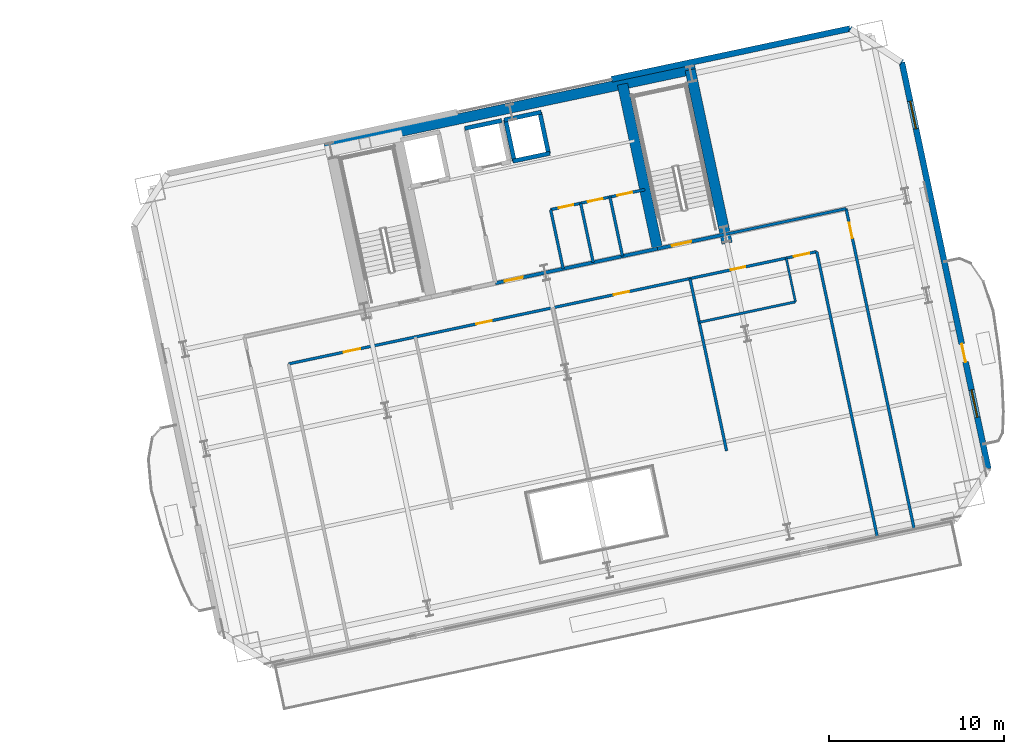
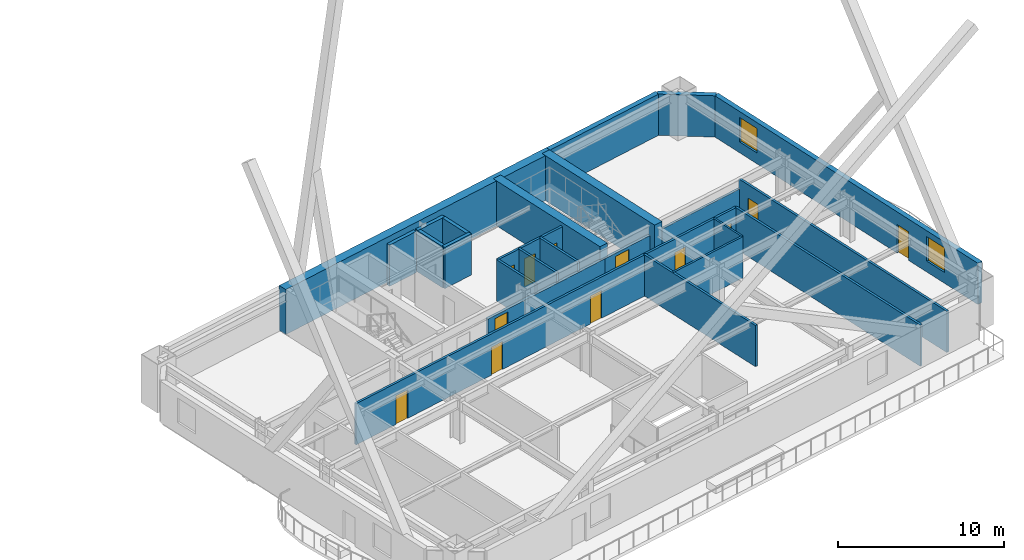
# One storey, part 14 of 22: 24 walls, 12 doors, 2 windows, 14 openings.
"""IFC4 building model written with IfcOpenShell, lengths in metres."""

from ifc_helpers import new_model, si_unit, direction, frame, frame_2d, origin, place, context, subcontext, project, spatial, rectangle, extrude, material, layer, layer_set, type_object, element, fill, save


model = new_model("IFC4")

# Units and contexts
model_context = context("Model", 3, precision=1e-05, world=origin(), true_north=direction((0.0, 1.0)))
body_context = subcontext(model_context, "Body", "Model", "MODEL_VIEW")
ifc_project = project(units=[si_unit("LENGTHUNIT", "METRE"), si_unit("AREAUNIT", "SQUARE_METRE"), si_unit("VOLUMEUNIT", "CUBIC_METRE"), si_unit("PLANEANGLEUNIT", "RADIAN"), si_unit("MASSUNIT", "GRAM", prefix="KILO")], contexts=[model_context])

# Site, building, storey
site_placement = place(None, origin())
site = spatial("IfcSite", under=ifc_project, at=site_placement, CompositionType="ELEMENT")
building_placement = place(site_placement, origin())
building = spatial("IfcBuilding", under=site, at=building_placement, Name="Haevon Station Towers", CompositionType="ELEMENT")
storey_placement = place(building_placement, frame((0.0, 0.0, 70.199951171875)))
storey = spatial("IfcBuildingStorey", under=building, at=storey_placement, Name="L18", CompositionType="ELEMENT", Elevation=70.199951171875)

# Wall, opening, door
ifc_material_1 = material(Name="Gypsum board on steel stud", Category="steel")
ifc_layer_1 = layer(ifc_material_1, 0.199951171875)
ifc_layer_set_1 = layer_set([ifc_layer_1], Name="Gypsum board on steel stud")
wall_type_1 = type_object("IfcWallType", Name="WL-COR200", PredefinedType="PARTITIONING", material=ifc_layer_set_1)
wall_1_placement = place(storey_placement, frame((115.4296875, 40.9873046875, 0.0), z_axis=(0.0, 0.0, 1.0), x_axis=(0.978146596989, 0.207916413008, 0.0)))
wall_1 = element("IfcWall", 1, at=wall_1_placement, inside=storey, type_object=wall_type_1, Name="WL-ST-ST4-L18", PredefinedType="PARTITIONING", context=body_context, shape_type="SweptSolid", body=[
    extrude(rectangle(XDim=3.9501953125, YDim=0.199951171875, at=frame_2d((1.97509765625, 0.0))), origin(), (0.0, 0.0, 1.0), 2.330078125),
])
opening_1_placement = place(wall_1_placement, frame((0.85009765625, 0.0, 0.0)))
opening_1 = element("IfcOpeningElement", 2, at=opening_1_placement, cuts=wall_1, Name="Opening DR-ST-ST4-L18", PredefinedType="OPENING", context=body_context, shape_type="SweptSolid", body=[
    extrude(rectangle(XDim=1.1201171875, YDim=2.10009765625, at=frame_2d((0.56005859375, 1.050048828125))), frame((0.0, 0.10986328125, 0.0), z_axis=(0.0, -1.0, 0.0), x_axis=(1.0, 0.0, 0.0)), (0.0, 0.0, 1.0), 0.219970703125),
])
ifc_material_2 = material(Name="Engineered oak timber", Category="wood")
door_type_1 = type_object("IfcDoorType", Name="DR-ST-1120", OperationType="NOTDEFINED", PredefinedType="DOOR", material=ifc_material_2)
door_1_placement = place(opening_1_placement, origin())
door_1 = element("IfcDoor", 3, at=door_1_placement, inside=storey, type_object=door_type_1, Name="L18 Escape Stair ST4 Fire Door", OperationType="SINGLE_SWING_LEFT", OverallHeight=2.10009765625, OverallWidth=1.1201171875, PredefinedType="DOOR", context=body_context, shape_type="SweptSolid", body=[
    extrude(rectangle(XDim=1.1201171875, YDim=2.10009765625, at=frame_2d((0.56005859375, 1.050048828125))), frame((0.0, 0.02490234375, 0.0), z_axis=(0.0, -1.0, 0.0), x_axis=(1.0, 0.0, 0.0)), (0.0, 0.0, 1.0), 0.050048828125),
])
fill(opening_1, door_1)

wall_2_placement = place(storey_placement, frame((106.186279296875, 39.0224609375, 0.0), z_axis=(0.0, 0.0, 1.0), x_axis=(0.978145519981, 0.20792147975, 0.0)))
wall_2 = element("IfcWall", 4, at=wall_2_placement, inside=storey, type_object=wall_type_1, Name="WL-T2CLB-L18", PredefinedType="PARTITIONING", context=body_context, shape_type="SweptSolid", body=[
    extrude(rectangle(XDim=9.449951171875, YDim=0.199951171875, at=frame_2d((4.72509765625, 0.0))), origin(), (0.0, 0.0, 1.0), 2.330078125),
])
opening_2_placement = place(wall_2_placement, frame((0.550048828125, 0.0, 0.0)))
opening_2 = element("IfcOpeningElement", 5, at=opening_2_placement, cuts=wall_2, Name="Opening DR-T2CLB-L18-1", PredefinedType="OPENING", context=body_context, shape_type="SweptSolid", body=[
    extrude(rectangle(XDim=1.050048828125, YDim=2.10009765625, at=frame_2d((0.52490234375, 1.050048828125))), frame((0.0, 0.10986328125, 0.0), z_axis=(0.0, -1.0, 0.0), x_axis=(1.0, 0.0, 0.0)), (0.0, 0.0, 1.0), 0.219970703125),
])
door_type_2 = type_object("IfcDoorType", Name="DR-FD60-1050", OperationType="NOTDEFINED", PredefinedType="DOOR", material=ifc_material_2)
door_2_placement = place(opening_2_placement, origin())
door_2 = element("IfcDoor", 6, at=door_2_placement, inside=storey, type_object=door_type_2, Name="L18 Tower 2 Core Lift Lobby Door 1", OperationType="SINGLE_SWING_RIGHT", OverallHeight=2.10009765625, OverallWidth=1.050048828125, PredefinedType="DOOR", context=body_context, shape_type="SweptSolid", body=[
    extrude(rectangle(XDim=1.050048828125, YDim=2.10009765625, at=frame_2d((0.52490234375, 1.050048828125))), frame((0.0, 0.02490234375, 0.0), z_axis=(0.0, -1.0, 0.0), x_axis=(1.0, 0.0, 0.0)), (0.0, 0.0, 1.0), 0.050048828125),
])
fill(opening_2, door_2)

# Walls
ifc_material_3 = material(Name="Concrete C60/75", Category="concrete")
ifc_layer_2 = layer(ifc_material_3, 0.60009765625)
ifc_layer_set_2 = layer_set([ifc_layer_2], Name="Concrete C60/75")
wall_type_2 = type_object("IfcWallType", Name="WL-CR600", PredefinedType="SHEAR", material=ifc_layer_set_2)
wall_3_placement = place(storey_placement, frame((96.462890625, 46.770263671875, 0.0), z_axis=(0.0, 0.0, 1.0), x_axis=(0.978147272959, 0.207913232873, 0.0)))
element("IfcWall", 7, at=wall_3_placement, inside=storey, type_object=wall_type_2, Name="WL-T2CR-L18-N", PredefinedType="SHEAR", context=body_context, shape_type="SweptSolid", body=[
    extrude(rectangle(XDim=21.60009765625, YDim=0.60009765625, at=frame_2d((10.800048828125, 0.0))), origin(), (0.0, 0.0, 1.0), 3.300048828125),
])
wall_4_placement = place(storey_placement, frame((119.401611328125, 41.2998046875, 0.0), z_axis=(0.0, 0.0, 1.0), x_axis=(-0.207904342798, 0.978149162575, 0.0)))
element("IfcWall", 8, at=wall_4_placement, inside=storey, type_object=wall_type_2, Name="WL-T2CR-L18-E", PredefinedType="SHEAR", context=body_context, shape_type="SweptSolid", body=[
    extrude(rectangle(XDim=10.1201171875, YDim=0.60009765625, at=frame_2d((5.06005859375, 0.0))), origin(), (0.0, 0.0, 1.0), 3.300048828125),
])
wall_5_placement = place(storey_placement, frame((115.4296875, 40.9873046875, 0.0), z_axis=(0.0, 0.0, 1.0), x_axis=(-0.207903162969, 0.978149413345, 0.0)))
element("IfcWall", 9, at=wall_5_placement, inside=storey, type_object=wall_type_2, Name="WL-T2CR-L18-M2", PredefinedType="SHEAR", context=body_context, shape_type="SweptSolid", body=[
    extrude(rectangle(XDim=9.599853515625, YDim=0.60009765625, at=frame_2d((4.7998046875, 0.0))), origin(), (0.0, 0.0, 1.0), 3.300048828125),
])
ifc_material_4 = material(Name="Precast concrete C45/55", Category="concrete")
ifc_layer_3 = layer(ifc_material_4, 0.340087890625)
ifc_layer_set_3 = layer_set([ifc_layer_3], Name="Precast concrete C45/55")
wall_type_3 = type_object("IfcWallType", Name="WL-EXT-PIER340", PredefinedType="SOLIDWALL", material=ifc_layer_set_3)
wall_6_placement = place(storey_placement, frame((112.812744140625, 50.654541015625, 0.0), z_axis=(0.0, 0.0, 1.0), x_axis=(0.978148582734, 0.207907070817, 0.0)))
element("IfcWall", 10, at=wall_6_placement, inside=storey, type_object=wall_type_3, Name="WL-T2-L18-N2", PredefinedType="SOLIDWALL", context=body_context, shape_type="SweptSolid", body=[
    extrude(rectangle(XDim=13.89990234375, YDim=0.340087890625, at=frame_2d((6.949951171875, 0.0))), origin(), (0.0, 0.0, 1.0), 3.030029296875),
])
wall_7_placement = place(storey_placement, frame((126.408935546875, 53.54443359375, 0.0), z_axis=(0.0, 0.0, 1.0), x_axis=(0.838672309694, -0.544636352948, 0.0)))
element("IfcWall", 11, at=wall_7_placement, inside=storey, type_object=wall_type_3, Name="WL-T2-L18-NEC", PredefinedType="SOLIDWALL", context=body_context, shape_type="SweptSolid", body=[
    extrude(rectangle(XDim=3.535400390625, YDim=0.340087890625, at=frame_2d((1.767578125, 0.0))), origin(), (0.0, 0.0, 1.0), 3.030029296875),
])

# Wall, openings, door, windows
wall_8_placement = place(storey_placement, frame((129.3740234375, 51.618896484375, 0.0), z_axis=(0.0, 0.0, 1.0), x_axis=(0.20791074704, -0.978147801339, 0.0)))
wall_8 = element("IfcWall", 12, at=wall_8_placement, inside=storey, type_object=wall_type_3, Name="WL-T2-L18-E", PredefinedType="SOLIDWALL", context=body_context, shape_type="SweptSolid", body=[
    extrude(rectangle(XDim=23.699951171875, YDim=0.340087890625, at=frame_2d((11.85009765625, 0.0))), origin(), (0.0, 0.0, 1.0), 3.030029296875),
])
opening_3_placement = place(wall_8_placement, frame((16.425048828125, 0.0, 0.0)))
opening_3 = element("IfcOpeningElement", 13, at=opening_3_placement, cuts=wall_8, Name="Opening DR-T2-SCAL-L18-E", PredefinedType="OPENING", context=body_context, shape_type="SweptSolid", body=[
    extrude(rectangle(XDim=1.050048828125, YDim=2.10009765625, at=frame_2d((0.52490234375, 1.050048828125))), frame((0.0, 0.179931640625, 0.0), z_axis=(0.0, -1.0, 0.0), x_axis=(1.0, 0.0, 0.0)), (0.0, 0.0, 1.0), 0.360107421875),
])
opening_4_placement = place(wall_8_placement, frame((2.264404296875, 0.0, 0.800048828125)))
opening_4 = element("IfcOpeningElement", 14, at=opening_4_placement, cuts=wall_8, Name="Opening WN-END160", PredefinedType="OPENING", context=body_context, shape_type="SweptSolid", body=[
    extrude(rectangle(XDim=1.60009765625, YDim=1.800048828125, at=frame_2d((0.800048828125, 0.89990234375))), frame((0.0, 0.179931640625, 0.0), z_axis=(0.0, -1.0, 0.0), x_axis=(1.0, 0.0, 0.0)), (0.0, 0.0, 1.0), 0.360107421875),
])
opening_5_placement = place(wall_8_placement, frame((19.103515625, 0.0, 0.800048828125)))
opening_5 = element("IfcOpeningElement", 15, at=opening_5_placement, cuts=wall_8, Name="Opening WN-END160", PredefinedType="OPENING", context=body_context, shape_type="SweptSolid", body=[
    extrude(rectangle(XDim=1.60009765625, YDim=1.800048828125, at=frame_2d((0.800048828125, 0.89990234375))), frame((0.0, 0.179931640625, 0.0), z_axis=(0.0, -1.0, 0.0), x_axis=(1.0, 0.0, 0.0)), (0.0, 0.0, 1.0), 0.360107421875),
])
ifc_material_5 = material(Name="Thermally broken anodised aluminium and laminated safety glass", Category="aluminium")
door_type_3 = type_object("IfcDoorType", Name="DR-BALC-1050", OperationType="NOTDEFINED", PredefinedType="DOOR", material=ifc_material_5)
door_3_placement = place(opening_3_placement, origin())
door_3 = element("IfcDoor", 16, at=door_3_placement, inside=storey, type_object=door_type_3, Name="Tower 2 L18 East Scalloped Balcony Door", OperationType="SINGLE_SWING_LEFT", OverallHeight=2.10009765625, OverallWidth=1.050048828125, PredefinedType="DOOR", context=body_context, shape_type="SweptSolid", body=[
    extrude(rectangle(XDim=1.050048828125, YDim=2.10009765625, at=frame_2d((0.52490234375, 1.050048828125))), frame((0.0, 0.02490234375, 0.0), z_axis=(0.0, -1.0, 0.0), x_axis=(1.0, 0.0, 0.0)), (0.0, 0.0, 1.0), 0.050048828125),
])
fill(opening_3, door_3)
ifc_material_6 = material(Name="Low-E triple glazing in thermally broken aluminium", Category="aluminium")
window_type = type_object("IfcWindowType", Name="WN-END160", PartitioningType="SINGLE_PANEL", PredefinedType="WINDOW", material=ifc_material_6)
window_1_placement = place(opening_4_placement, origin())
window_1 = element("IfcWindow", 17, at=window_1_placement, inside=storey, type_object=window_type, Name="WN-T2-L18-E01", OverallHeight=1.800048828125, OverallWidth=1.60009765625, PartitioningType="SINGLE_PANEL", PredefinedType="WINDOW", context=body_context, shape_type="SweptSolid", body=[
    extrude(rectangle(XDim=1.60009765625, YDim=1.800048828125, at=frame_2d((0.800048828125, 0.89990234375))), frame((0.0, 0.030029296875, 0.0), z_axis=(0.0, -1.0, 0.0), x_axis=(1.0, 0.0, 0.0)), (0.0, 0.0, 1.0), 0.06005859375),
])
fill(opening_4, window_1)
window_2_placement = place(opening_5_placement, origin())
window_2 = element("IfcWindow", 18, at=window_2_placement, inside=storey, type_object=window_type, Name="WN-T2-L18-E02", OverallHeight=1.800048828125, OverallWidth=1.60009765625, PartitioningType="SINGLE_PANEL", PredefinedType="WINDOW", context=body_context, shape_type="SweptSolid", body=[
    extrude(rectangle(XDim=1.60009765625, YDim=1.800048828125, at=frame_2d((0.800048828125, 0.89990234375))), frame((0.0, 0.030029296875, 0.0), z_axis=(0.0, -1.0, 0.0), x_axis=(1.0, 0.0, 0.0)), (0.0, 0.0, 1.0), 0.06005859375),
])
fill(opening_5, window_2)

# Walls
ifc_layer_4 = layer(ifc_material_1, 0.125)
ifc_layer_set_4 = layer_set([ifc_layer_4], Name="Gypsum board on steel stud")
wall_type_4 = type_object("IfcWallType", Name="WL-PRT125", PredefinedType="PARTITIONING", material=ifc_layer_set_4)
wall_9_placement = place(storey_placement, frame((123.3017578125, 37.957763671875, 0.0), z_axis=(0.0, 0.0, 1.0), x_axis=(-0.207940050407, 0.978141572287, 0.0)))
element("IfcWall", 19, at=wall_9_placement, inside=storey, type_object=wall_type_4, Name="WL-T2PT-L18-17", PredefinedType="PARTITIONING", context=body_context, shape_type="SweptSolid", body=[
    extrude(rectangle(XDim=2.550048828125, YDim=0.125, at=frame_2d((1.27490234375, 0.0))), origin(), (0.0, 0.0, 1.0), 3.030029296875),
])
ifc_layer_5 = layer(ifc_material_1, 0.139892578125)
ifc_layer_set_5 = layer_set([ifc_layer_5], Name="Gypsum board on steel stud")
wall_type_5 = type_object("IfcWallType", Name="WL-PRT140", PredefinedType="PARTITIONING", material=ifc_layer_set_5)
wall_10_placement = place(storey_placement, frame((117.812255859375, 36.791015625, 0.0), z_axis=(0.0, 0.0, 1.0), x_axis=(0.978150558092, 0.207897777057, 0.0)))
element("IfcWall", 20, at=wall_10_placement, inside=storey, type_object=wall_type_5, Name="WL-T2PT-L18-16", PredefinedType="PARTITIONING", context=body_context, shape_type="SweptSolid", body=[
    extrude(rectangle(XDim=5.612060546875, YDim=0.139892578125, at=frame_2d((2.80615234375, 0.0))), origin(), (0.0, 0.0, 1.0), 3.030029296875),
])
ifc_layer_6 = layer(ifc_material_1, 0.159912109375)
ifc_layer_set_6 = layer_set([ifc_layer_6], Name="Gypsum board on steel stud")
wall_type_6 = type_object("IfcWallType", Name="WL-PRT160", PredefinedType="PARTITIONING", material=ifc_layer_set_6)
for number, where, z_axis, x_axis, name in (
    (21, (110.050048828125, 39.84375, 0.0), (0.0, 0.0, 1.0), (-0.207900225061, 0.978150037785, 0.0), "WL-T2CW-L18-01"),
    (22, (111.76171875, 40.20751953125, 0.0), (0.0, 0.0, 1.0), (-0.207900225061, 0.978150037785, 0.0), "WL-T2CW-L18-02"),
):
    element("IfcWall", number, at=place(storey_placement, frame(where, z_axis=z_axis, x_axis=x_axis)), inside=storey, type_object=wall_type_6, Name=name, PredefinedType="PARTITIONING", context=body_context, shape_type="SweptSolid", body=[
        extrude(rectangle(XDim=3.4501953125, YDim=0.159912109375, at=frame_2d((1.72509765625, 0.0))), origin(), (0.0, 0.0, 1.0), 3.030029296875),
    ])
wall_11_placement = place(storey_placement, frame((113.434326171875, 40.563232421875, 0.0), z_axis=(0.0, 0.0, 1.0), x_axis=(-0.207914616127, 0.978146978935, 0.0)))
element("IfcWall", 23, at=wall_11_placement, inside=storey, type_object=wall_type_6, Name="WL-T2CW-L18-03", PredefinedType="PARTITIONING", context=body_context, shape_type="SweptSolid", body=[
    extrude(rectangle(XDim=3.449951171875, YDim=0.159912109375, at=frame_2d((1.72509765625, 0.0))), origin(), (0.0, 0.0, 1.0), 3.030029296875),
])

# Wall, openings, doors
wall_12_placement = place(storey_placement, frame((109.332763671875, 43.218505859375, 0.0), z_axis=(0.0, 0.0, 1.0), x_axis=(0.978153773776, 0.207882646816, 0.0)))
wall_12 = element("IfcWall", 24, at=wall_12_placement, inside=storey, type_object=wall_type_6, Name="WL-T2CW-L18-04", PredefinedType="PARTITIONING", context=body_context, shape_type="SweptSolid", body=[
    extrude(rectangle(XDim=5.499755859375, YDim=0.159912109375, at=frame_2d((2.75, 0.0))), origin(), (0.0, 0.0, 1.0), 3.030029296875),
])
opening_6_placement = place(wall_12_placement, frame((0.469970703125, 0.0, 0.0)))
opening_6 = element("IfcOpeningElement", 25, at=opening_6_placement, cuts=wall_12, Name="Opening DR-WL-T2CW-L18-04-1", PredefinedType="OPENING", context=body_context, shape_type="SweptSolid", body=[
    extrude(rectangle(XDim=0.85009765625, YDim=2.050048828125, at=frame_2d((0.425048828125, 1.02490234375))), frame((0.0, 0.08984375, 0.0), z_axis=(0.0, -1.0, 0.0), x_axis=(1.0, 0.0, 0.0)), (0.0, 0.0, 1.0), 0.179931640625),
])
opening_7_placement = place(wall_12_placement, frame((2.179931640625, 0.0, 0.0)))
opening_7 = element("IfcOpeningElement", 26, at=opening_7_placement, cuts=wall_12, Name="Opening DR-WL-T2CW-L18-04-2", PredefinedType="OPENING", context=body_context, shape_type="SweptSolid", body=[
    extrude(rectangle(XDim=0.85009765625, YDim=2.050048828125, at=frame_2d((0.425048828125, 1.02490234375))), frame((0.0, 0.08984375, 0.0), z_axis=(0.0, -1.0, 0.0), x_axis=(1.0, 0.0, 0.0)), (0.0, 0.0, 1.0), 0.179931640625),
])
opening_8_placement = place(wall_12_placement, frame((3.89501953125, 0.0, 0.0)))
opening_8 = element("IfcOpeningElement", 27, at=opening_8_placement, cuts=wall_12, Name="Opening DR-WL-T2CW-L18-04-3", PredefinedType="OPENING", context=body_context, shape_type="SweptSolid", body=[
    extrude(rectangle(XDim=0.85009765625, YDim=2.050048828125, at=frame_2d((0.425048828125, 1.02490234375))), frame((0.0, 0.08984375, 0.0), z_axis=(0.0, -1.0, 0.0), x_axis=(1.0, 0.0, 0.0)), (0.0, 0.0, 1.0), 0.179931640625),
])
door_type_4 = type_object("IfcDoorType", Name="DR-FD30-850", OperationType="NOTDEFINED", PredefinedType="DOOR", material=ifc_material_2)
door_4_placement = place(opening_6_placement, origin())
door_4 = element("IfcDoor", 28, at=door_4_placement, inside=storey, type_object=door_type_4, Name="L18 Tower 2 Core Room Door 4-1", OperationType="SINGLE_SWING_LEFT", OverallHeight=2.050048828125, OverallWidth=0.85009765625, PredefinedType="DOOR", context=body_context, shape_type="SweptSolid", body=[
    extrude(rectangle(XDim=0.85009765625, YDim=2.050048828125, at=frame_2d((0.425048828125, 1.02490234375))), frame((0.0, 0.02490234375, 0.0), z_axis=(0.0, -1.0, 0.0), x_axis=(1.0, 0.0, 0.0)), (0.0, 0.0, 1.0), 0.050048828125),
])
fill(opening_6, door_4)
door_5_placement = place(opening_7_placement, origin())
door_5 = element("IfcDoor", 29, at=door_5_placement, inside=storey, type_object=door_type_4, Name="L18 Tower 2 Core Room Door 4-2", OperationType="SINGLE_SWING_RIGHT", OverallHeight=2.050048828125, OverallWidth=0.85009765625, PredefinedType="DOOR", context=body_context, shape_type="SweptSolid", body=[
    extrude(rectangle(XDim=0.85009765625, YDim=2.050048828125, at=frame_2d((0.425048828125, 1.02490234375))), frame((0.0, 0.02490234375, 0.0), z_axis=(0.0, -1.0, 0.0), x_axis=(1.0, 0.0, 0.0)), (0.0, 0.0, 1.0), 0.050048828125),
])
fill(opening_7, door_5)
door_6_placement = place(opening_8_placement, origin())
door_6 = element("IfcDoor", 30, at=door_6_placement, inside=storey, type_object=door_type_4, Name="L18 Tower 2 Core Room Door 4-3", OperationType="SINGLE_SWING_LEFT", OverallHeight=2.050048828125, OverallWidth=0.85009765625, PredefinedType="DOOR", context=body_context, shape_type="SweptSolid", body=[
    extrude(rectangle(XDim=0.85009765625, YDim=2.050048828125, at=frame_2d((0.425048828125, 1.02490234375))), frame((0.0, 0.02490234375, 0.0), z_axis=(0.0, -1.0, 0.0), x_axis=(1.0, 0.0, 0.0)), (0.0, 0.0, 1.0), 0.050048828125),
])
fill(opening_8, door_6)

# Walls
wall_13_placement = place(storey_placement, frame((127.974365234375, 24.535888671875, 0.0), z_axis=(0.0, 0.0, 1.0), x_axis=(-0.20790856066, 0.978148266064, 0.0)))
element("IfcWall", 31, at=wall_13_placement, inside=storey, type_object=wall_type_6, Name="WL-T2PT-L18-02", PredefinedType="PARTITIONING", context=body_context, shape_type="SweptSolid", body=[
    extrude(rectangle(XDim=16.64990234375, YDim=0.159912109375, at=frame_2d((8.324951171875, 0.0))), origin(), (0.0, 0.0, 1.0), 3.030029296875),
])
wall_14_placement = place(storey_placement, frame((119.29345703125, 41.80859375, 0.0), z_axis=(0.0, 0.0, 1.0), x_axis=(0.978146703791, 0.207915910556, 0.0)))
element("IfcWall", 32, at=wall_14_placement, inside=storey, type_object=wall_type_6, Name="WL-T2PT-L18-04", PredefinedType="PARTITIONING", context=body_context, shape_type="SweptSolid", body=[
    extrude(rectangle(XDim=7.050048828125, YDim=0.159912109375, at=frame_2d((3.52490234375, 0.0))), origin(), (0.0, 0.0, 1.0), 2.330078125),
])

# Wall, opening, door
wall_15_placement = place(storey_placement, frame((130.077392578125, 24.98291015625, 0.0), z_axis=(0.0, 0.0, 1.0), x_axis=(-0.207909658332, 0.97814803275, 0.0)))
wall_15 = element("IfcWall", 33, at=wall_15_placement, inside=storey, type_object=wall_type_6, Name="WL-T2PT-L18-06", PredefinedType="PARTITIONING", context=body_context, shape_type="SweptSolid", body=[
    extrude(rectangle(XDim=18.7001953125, YDim=0.159912109375, at=frame_2d((9.35009765625, 0.0))), origin(), (0.0, 0.0, 1.0), 3.030029296875),
])
opening_9_placement = place(wall_15_placement, frame((16.969970703125, 0.0, 0.0)))
opening_9 = element("IfcOpeningElement", 34, at=opening_9_placement, cuts=wall_15, Name="Opening DR-WL-T2PT-L18-06-01", PredefinedType="OPENING", context=body_context, shape_type="SweptSolid", body=[
    extrude(rectangle(XDim=0.89990234375, YDim=2.050048828125, at=frame_2d((0.449951171875, 1.02490234375))), frame((0.0, 0.08984375, 0.0), z_axis=(0.0, -1.0, 0.0), x_axis=(1.0, 0.0, 0.0)), (0.0, 0.0, 1.0), 0.179931640625),
])
door_type_5 = type_object("IfcDoorType", Name="DR-INT-900", OperationType="NOTDEFINED", PredefinedType="DOOR", material=ifc_material_2)
door_7_placement = place(opening_9_placement, origin())
door_7 = element("IfcDoor", 35, at=door_7_placement, inside=storey, type_object=door_type_5, Name="L18 Tower 2 Room Door 6-1", OperationType="SINGLE_SWING_LEFT", OverallHeight=2.050048828125, OverallWidth=0.89990234375, PredefinedType="DOOR", context=body_context, shape_type="SweptSolid", body=[
    extrude(rectangle(XDim=0.89990234375, YDim=2.050048828125, at=frame_2d((0.449951171875, 1.02490234375))), frame((0.0, 0.02490234375, 0.0), z_axis=(0.0, -1.0, 0.0), x_axis=(1.0, 0.0, 0.0)), (0.0, 0.0, 1.0), 0.050048828125),
])
fill(opening_9, door_7)

# Wall
wall_16_placement = place(storey_placement, frame((119.37158203125, 29.454833984375, 0.0), z_axis=(0.0, 0.0, 1.0), x_axis=(-0.207897978629, 0.978150515249, 0.0)))
element("IfcWall", 36, at=wall_16_placement, inside=storey, type_object=wall_type_6, Name="WL-T2PT-L18-14", PredefinedType="PARTITIONING", context=body_context, shape_type="SweptSolid", body=[
    extrude(rectangle(XDim=10.0498046875, YDim=0.159912109375, at=frame_2d((5.02490234375, 0.0))), origin(), (0.0, 0.0, 1.0), 3.030029296875),
])

# Wall, openings, doors
wall_17_placement = place(storey_placement, frame((94.3857421875, 34.41845703125, 0.0), z_axis=(0.0, 0.0, 1.0), x_axis=(0.978148374034, 0.207908052695, 0.0)))
wall_17 = element("IfcWall", 37, at=wall_17_placement, inside=storey, type_object=wall_type_6, Name="WL-T2PT-L18-18", PredefinedType="PARTITIONING", context=body_context, shape_type="SweptSolid", body=[
    extrude(rectangle(XDim=30.800048828125, YDim=0.159912109375, at=frame_2d((15.39990234375, 0.0))), origin(), (0.0, 0.0, 1.0), 3.030029296875),
])
opening_10_placement = place(wall_17_placement, frame((3.220947265625, 0.0, 0.0)))
opening_10 = element("IfcOpeningElement", 38, at=opening_10_placement, cuts=wall_17, Name="Opening DR-WL-T2PT-L18-18-01", PredefinedType="OPENING", context=body_context, shape_type="SweptSolid", body=[
    extrude(rectangle(XDim=0.949951171875, YDim=2.10009765625, at=frame_2d((0.47509765625, 1.050048828125))), frame((0.0, 0.08984375, 0.0), z_axis=(0.0, -1.0, 0.0), x_axis=(1.0, 0.0, 0.0)), (0.0, 0.0, 1.0), 0.179931640625),
])
opening_11_placement = place(wall_17_placement, frame((10.946044921875, 0.0, 0.0)))
opening_11 = element("IfcOpeningElement", 39, at=opening_11_placement, cuts=wall_17, Name="Opening DR-WL-T2PT-L18-18-02", PredefinedType="OPENING", context=body_context, shape_type="SweptSolid", body=[
    extrude(rectangle(XDim=0.89990234375, YDim=2.050048828125, at=frame_2d((0.449951171875, 1.02490234375))), frame((0.0, 0.08984375, 0.0), z_axis=(0.0, -1.0, 0.0), x_axis=(1.0, 0.0, 0.0)), (0.0, 0.0, 1.0), 0.179931640625),
])
opening_12_placement = place(wall_17_placement, frame((18.9541015625, 0.0, 0.0)))
opening_12 = element("IfcOpeningElement", 40, at=opening_12_placement, cuts=wall_17, Name="Opening DR-WL-T2PT-L18-18-03", PredefinedType="OPENING", context=body_context, shape_type="SweptSolid", body=[
    extrude(rectangle(XDim=0.89990234375, YDim=2.050048828125, at=frame_2d((0.449951171875, 1.02490234375))), frame((0.0, 0.08984375, 0.0), z_axis=(0.0, -1.0, 0.0), x_axis=(1.0, 0.0, 0.0)), (0.0, 0.0, 1.0), 0.179931640625),
])
opening_13_placement = place(wall_17_placement, frame((25.7890625, 0.0, 0.0)))
opening_13 = element("IfcOpeningElement", 41, at=opening_13_placement, cuts=wall_17, Name="Opening DR-WL-T2PT-L18-18-04", PredefinedType="OPENING", context=body_context, shape_type="SweptSolid", body=[
    extrude(rectangle(XDim=0.85009765625, YDim=2.050048828125, at=frame_2d((0.425048828125, 1.02490234375))), frame((0.0, 0.08984375, 0.0), z_axis=(0.0, -1.0, 0.0), x_axis=(1.0, 0.0, 0.0)), (0.0, 0.0, 1.0), 0.179931640625),
])
opening_14_placement = place(wall_17_placement, frame((29.4599609375, 0.0, 0.0)))
opening_14 = element("IfcOpeningElement", 42, at=opening_14_placement, cuts=wall_17, Name="Opening DR-WL-T2PT-L18-18-05", PredefinedType="OPENING", context=body_context, shape_type="SweptSolid", body=[
    extrude(rectangle(XDim=0.89990234375, YDim=2.050048828125, at=frame_2d((0.449951171875, 1.02490234375))), frame((0.0, 0.08984375, 0.0), z_axis=(0.0, -1.0, 0.0), x_axis=(1.0, 0.0, 0.0)), (0.0, 0.0, 1.0), 0.179931640625),
])
door_8_placement = place(opening_13_placement, origin())
door_8 = element("IfcDoor", 43, at=door_8_placement, inside=storey, type_object=door_type_4, Name="L18 Tower 2 Room Door 18-4", OperationType="SINGLE_SWING_LEFT", OverallHeight=2.050048828125, OverallWidth=0.85009765625, PredefinedType="DOOR", context=body_context, shape_type="SweptSolid", body=[
    extrude(rectangle(XDim=0.85009765625, YDim=2.050048828125, at=frame_2d((0.425048828125, 1.02490234375))), frame((0.0, 0.02490234375, 0.0), z_axis=(0.0, -1.0, 0.0), x_axis=(1.0, 0.0, 0.0)), (0.0, 0.0, 1.0), 0.050048828125),
])
fill(opening_13, door_8)
door_type_6 = type_object("IfcDoorType", Name="DR-FD30-950", OperationType="NOTDEFINED", PredefinedType="DOOR", material=ifc_material_2)
door_9_placement = place(opening_10_placement, origin())
door_9 = element("IfcDoor", 44, at=door_9_placement, inside=storey, type_object=door_type_6, Name="L18 Tower 2 Room Door 18-1", OperationType="SINGLE_SWING_RIGHT", OverallHeight=2.10009765625, OverallWidth=0.949951171875, PredefinedType="DOOR", context=body_context, shape_type="SweptSolid", body=[
    extrude(rectangle(XDim=0.949951171875, YDim=2.10009765625, at=frame_2d((0.47509765625, 1.050048828125))), frame((0.0, 0.02490234375, 0.0), z_axis=(0.0, -1.0, 0.0), x_axis=(1.0, 0.0, 0.0)), (0.0, 0.0, 1.0), 0.050048828125),
])
fill(opening_10, door_9)
door_10_placement = place(opening_11_placement, origin())
door_10 = element("IfcDoor", 45, at=door_10_placement, inside=storey, type_object=door_type_5, Name="L18 Tower 2 Room Door 18-2", OperationType="SINGLE_SWING_LEFT", OverallHeight=2.050048828125, OverallWidth=0.89990234375, PredefinedType="DOOR", context=body_context, shape_type="SweptSolid", body=[
    extrude(rectangle(XDim=0.89990234375, YDim=2.050048828125, at=frame_2d((0.449951171875, 1.02490234375))), frame((0.0, 0.02490234375, 0.0), z_axis=(0.0, -1.0, 0.0), x_axis=(1.0, 0.0, 0.0)), (0.0, 0.0, 1.0), 0.050048828125),
])
fill(opening_11, door_10)
door_11_placement = place(opening_12_placement, origin())
door_11 = element("IfcDoor", 46, at=door_11_placement, inside=storey, type_object=door_type_5, Name="L18 Tower 2 Room Door 18-3", OperationType="SINGLE_SWING_RIGHT", OverallHeight=2.050048828125, OverallWidth=0.89990234375, PredefinedType="DOOR", context=body_context, shape_type="SweptSolid", body=[
    extrude(rectangle(XDim=0.89990234375, YDim=2.050048828125, at=frame_2d((0.449951171875, 1.02490234375))), frame((0.0, 0.02490234375, 0.0), z_axis=(0.0, -1.0, 0.0), x_axis=(1.0, 0.0, 0.0)), (0.0, 0.0, 1.0), 0.050048828125),
])
fill(opening_12, door_11)
door_12_placement = place(opening_14_placement, origin())
door_12 = element("IfcDoor", 47, at=door_12_placement, inside=storey, type_object=door_type_5, Name="L18 Tower 2 Room Door 18-5", OperationType="SINGLE_SWING_RIGHT", OverallHeight=2.050048828125, OverallWidth=0.89990234375, PredefinedType="DOOR", context=body_context, shape_type="SweptSolid", body=[
    extrude(rectangle(XDim=0.89990234375, YDim=2.050048828125, at=frame_2d((0.449951171875, 1.02490234375))), frame((0.0, 0.02490234375, 0.0), z_axis=(0.0, -1.0, 0.0), x_axis=(1.0, 0.0, 0.0)), (0.0, 0.0, 1.0), 0.050048828125),
])
fill(opening_14, door_12)

# Walls
ifc_material_7 = material(Name="Concrete C40/50", Category="concrete")
ifc_layer_7 = layer(ifc_material_7, 0.239990234375)
ifc_layer_set_7 = layer_set([ifc_layer_7], Name="Concrete C40/50")
wall_type_7 = type_object("IfcWallType", Name="WL-SHF240", PredefinedType="PARTITIONING", material=ifc_layer_set_7)
for number, where, z_axis, x_axis, name in (
    (48, (104.432373046875, 47.850830078125, 0.0), (0.0, 0.0, 1.0), (0.978158276388, 0.207861459473, 0.0), "WL-SHF-PL7-L18-N"),
    (49, (107.18115234375, 45.9814453125, 0.0), (0.0, 0.0, 1.0), (0.97813528961, 0.207969601673, 0.0), "WL-SHF-PL8-L18"),
    (50, (106.68212890625, 48.3291015625, 0.0), (0.0, 0.0, 1.0), (0.978158276388, 0.207861459473, 0.0), "WL-SHF-PL8-L18-N"),
):
    element("IfcWall", number, at=place(storey_placement, frame(where, z_axis=z_axis, x_axis=x_axis)), inside=storey, type_object=wall_type_7, Name=name, PredefinedType="PARTITIONING", context=body_context, shape_type="SweptSolid", body=[
        extrude(rectangle(XDim=2.159912109375, YDim=0.239990234375, at=frame_2d((1.080078125, 0.0))), origin(), (0.0, 0.0, 1.0), 3.030029296875),
    ])
for number, where, z_axis, x_axis, name in (
    (51, (107.259521484375, 45.998046875, 0.0), (0.0, 0.0, 1.0), (-0.207917150959, 0.978146440129, 0.0), "WL-SHF-PL8-L18-W"),
    (52, (109.2158203125, 46.413818359375, 0.0), (0.0, 0.0, 1.0), (-0.207917150959, 0.978146440129, 0.0), "WL-SHF-PL8-L18-E"),
):
    element("IfcWall", number, at=place(storey_placement, frame(where, z_axis=z_axis, x_axis=x_axis)), inside=storey, type_object=wall_type_7, Name=name, PredefinedType="PARTITIONING", context=body_context, shape_type="SweptSolid", body=[
        extrude(rectangle(XDim=2.400146484375, YDim=0.239990234375, at=frame_2d((1.2001953125, 0.0))), origin(), (0.0, 0.0, 1.0), 3.030029296875),
    ])

save(model, "model.ifc")
